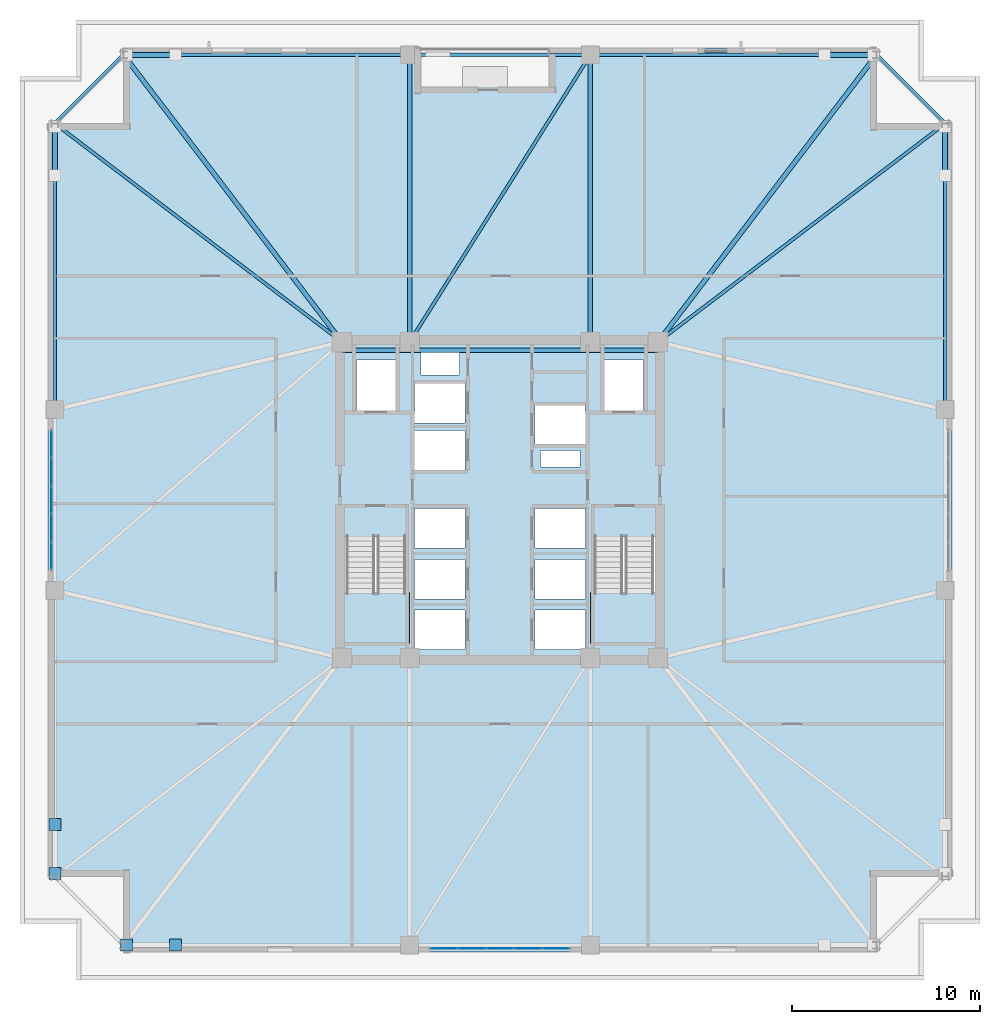
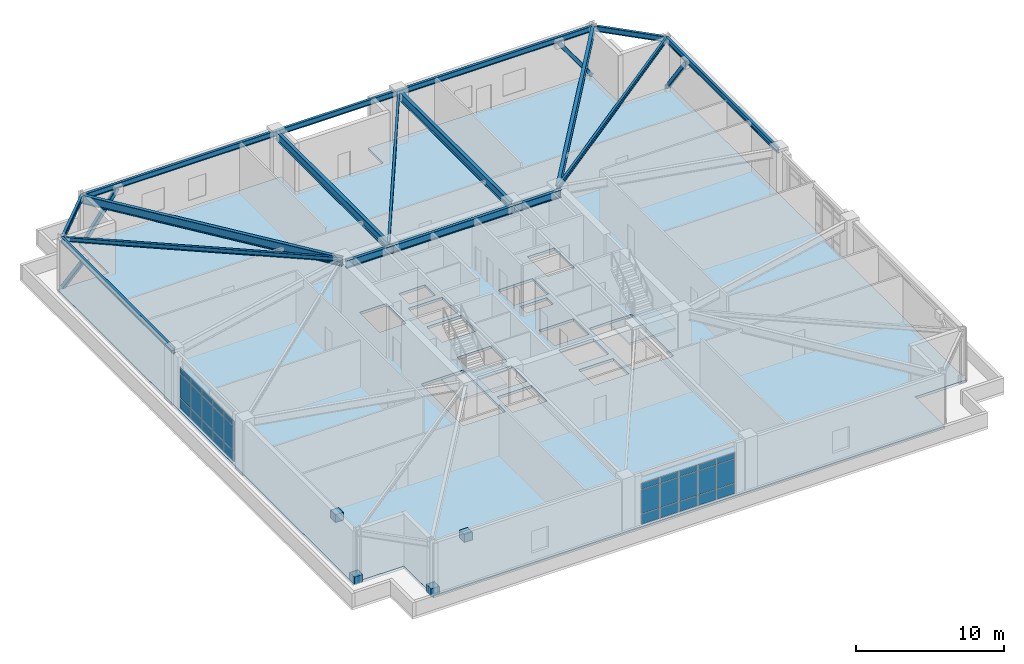
# One storey, part 5 of 13: 34 plates, 17 beams, 4 members, 3 slabs, 4 elements without a shape of their own.
"""IFC4 building model written with IfcOpenShell, lengths in metres."""

from ifc_helpers import new_model, si_unit, direction, frame, origin, origin_2d, place, context, subcontext, project, spatial, polyline, rectangle, hollow_rectangle, i_section, outline, extrude, material, layer, layer_set, material_profile, profile_set, type_object, element, aggregate, save


model = new_model("IFC4")

# Units and contexts
model_context = context("Model", 3, precision=1e-05, world=origin(), true_north=direction((0.0, 1.0)))
body_context = subcontext(model_context, "Body", "Model", "MODEL_VIEW")
ifc_project = project(units=[si_unit("LENGTHUNIT", "METRE"), si_unit("AREAUNIT", "SQUARE_METRE"), si_unit("VOLUMEUNIT", "CUBIC_METRE"), si_unit("PLANEANGLEUNIT", "RADIAN"), si_unit("MASSUNIT", "GRAM", prefix="KILO")], contexts=[model_context])

# Site, building, storey
site_placement = place(None, origin())
site = spatial("IfcSite", under=ifc_project, at=site_placement, CompositionType="ELEMENT")
building_placement = place(site_placement, origin())
building = spatial("IfcBuilding", under=site, at=building_placement, Name="Cairnveth Concourse Tower", CompositionType="ELEMENT")
storey_placement = place(building_placement, frame((0.0, 0.0, 101.5)))
storey = spatial("IfcBuildingStorey", under=building, at=storey_placement, Name="L27", CompositionType="ELEMENT", Elevation=101.5)

# Beams
ifc_material_1 = material(Name="Steel Grade 350", Category="steel")
ifc_material_profile_1 = material_profile(ifc_material_1, i_section(OverallWidth=0.22802734375, OverallDepth=0.60693359375, WebThickness=0.01123046875, FlangeThickness=0.017333984375, FilletRadius=0.013916015625, at=origin_2d()), Name="610UB113")
ifc_profile_set_1 = profile_set([ifc_material_profile_1], Name="Steel Grade 350")
beam_type_1 = type_object("IfcBeamType", Name="CORE TIE BEAM 610UB113", PredefinedType="T_BEAM", material=ifc_profile_set_1)
for number, where, z_axis, x_axis, name in (
    (1, (43.60009765625, 46.949951171875, 3.9765625), (1.0, 0.0, 0.0), (0.0, 1.0, 0.0), "Beam CT-N1 L27"),
    (2, (56.800048828125, 46.949951171875, 3.9765625), (1.0, 0.0, 0.0), (0.0, 1.0, 0.0), "Beam CT-N3 L27"),
):
    element("IfcBeam", number, at=place(storey_placement, frame(where, z_axis=z_axis, x_axis=x_axis)), inside=storey, type_object=beam_type_1, Name=name, PredefinedType="T_BEAM", context=body_context, shape_type="SweptSolid", body=[
        extrude(i_section(OverallWidth=0.22802734375, OverallDepth=0.60693359375, WebThickness=0.01123046875, FlangeThickness=0.017333984375, FilletRadius=0.013916015625, at=origin_2d()), origin(), (0.0, 0.0, 1.0), 3.599853515625),
    ])
beam_1_placement = place(storey_placement, frame((47.199951171875, 46.949951171875, 3.9765625), z_axis=(1.0, 0.0, 0.0), x_axis=(0.0, 1.0, 0.0)))
element("IfcBeam", 3, at=beam_1_placement, inside=storey, type_object=beam_type_1, Name="Beam CT-N2 L27", PredefinedType="T_BEAM", context=body_context, shape_type="SweptSolid", body=[
    extrude(i_section(OverallWidth=0.22802734375, OverallDepth=0.60693359375, WebThickness=0.01123046875, FlangeThickness=0.017333984375, FilletRadius=0.013916015625, at=origin_2d()), origin(), (0.0, 0.0, 1.0), 9.60009765625),
])
ifc_material_profile_2 = material_profile(ifc_material_1, i_section(OverallWidth=0.172119140625, OverallDepth=0.35888671875, WebThickness=0.008056640625, FlangeThickness=0.012939453125, FilletRadius=0.010986328125, at=origin_2d()), Name="360UB56.7")
ifc_profile_set_2 = profile_set([ifc_material_profile_2], Name="Steel Grade 350")
beam_type_2 = type_object("IfcBeamType", Name="ZONE 2 FLOOR JOIST 360UB56.7", PredefinedType="JOIST", material=ifc_profile_set_2)
for number, where, z_axis, x_axis, name in (
    (4, (75.64990234375, 59.0, 4.1005859375), (-0.795908242904, -0.6054172684, 0.0), (0.6054172684, -0.795908242904, 0.0), "Beam FJ-CNE2 L27"),
    (5, (28.35009765625, 59.0, 4.1005859375), (0.795908242904, -0.6054172684, 0.0), (0.6054172684, 0.795908242904, 0.0), "Beam FJ-CNW2 L27"),
):
    element("IfcBeam", number, at=place(storey_placement, frame(where, z_axis=z_axis, x_axis=x_axis)), inside=storey, type_object=beam_type_2, Name=name, PredefinedType="JOIST", context=body_context, shape_type="SweptSolid", body=[
        extrude(i_section(OverallWidth=0.172119140625, OverallDepth=0.35888671875, WebThickness=0.008056640625, FlangeThickness=0.012939453125, FilletRadius=0.010986328125, at=origin_2d()), origin(), (0.0, 0.0, 1.0), 19.160400390625),
    ])
beam_2_placement = place(storey_placement, frame((47.199951171875, 47.39990234375, 4.1005859375), z_axis=(0.532743557037, 0.84627672923, 0.0), x_axis=(-0.84627672923, 0.532743557037, 0.0)))
element("IfcBeam", 6, at=beam_2_placement, inside=storey, type_object=beam_type_2, Name="Beam FJ-N-M1 L27", PredefinedType="JOIST", context=body_context, shape_type="SweptSolid", body=[
    extrude(i_section(OverallWidth=0.172119140625, OverallDepth=0.35888671875, WebThickness=0.008056640625, FlangeThickness=0.012939453125, FilletRadius=0.010986328125, at=origin_2d()), origin(), (0.0, 0.0, 1.0), 18.02001953125),
])

# Members
ifc_material_2 = material(Name="Steel C350L0 (350 MPa)", Category="steel")
ifc_material_profile_3 = material_profile(ifc_material_2, hollow_rectangle(XDim=0.300048828125, YDim=0.300048828125, WallThickness=0.01611328125, InnerFilletRadius=0.01611328125, OuterFilletRadius=0.031982421875, at=origin_2d()), Name="300x300x16.0SHS")
ifc_profile_set_3 = profile_set([ifc_material_profile_3], Name="Steel C350L0 (350 MPa)")
member_type = type_object("IfcMemberType", Name="ZONE 2 PIER BRACE 300X300X16SHS", PredefinedType="BRACE", material=ifc_profile_set_3)
for number, where, z_axis, x_axis, name in (
    (7, (32.14990234375, 62.64990234375, 0.25), (0.587640077388, 0.0, 0.809122450218), (0.0, 1.0, 0.0), "Structural Brace PB-N1 L27"),
    (8, (71.85009765625, 62.64990234375, 0.25), (-0.587640077388, 0.0, 0.809122450218), (0.0, -1.0, 0.0), "Structural Brace PB-N2 L27"),
    (9, (28.35009765625, 58.85009765625, 0.25), (0.0, -0.587640077388, 0.809122450218), (1.0, 0.0, 0.0), "Structural Brace PB-W2 L27"),
    (10, (75.64990234375, 58.85009765625, 0.25), (0.0, -0.587640077388, 0.809122450218), (1.0, 0.0, 0.0), "Structural Brace PB-E2 L27"),
):
    element("IfcMember", number, at=place(storey_placement, frame(where, z_axis=z_axis, x_axis=x_axis)), inside=storey, type_object=member_type, Name=name, PredefinedType="BRACE", context=body_context, shape_type="SweptSolid", body=[
        extrude(hollow_rectangle(XDim=0.300048828125, YDim=0.300048828125, WallThickness=0.01611328125, InnerFilletRadius=0.01611328125, OuterFilletRadius=0.031982421875, at=origin_2d()), origin(), (0.0, 0.0, 1.0), 4.424560546875),
    ])

# Beams
ifc_material_profile_4 = material_profile(ifc_material_1, i_section(OverallWidth=0.25, OverallDepth=0.699951171875, WebThickness=0.011962890625, FlangeThickness=0.028076171875, at=origin_2d()), Name="700WB173")
ifc_profile_set_4 = profile_set([ifc_material_profile_4], Name="Steel Grade 350")
beam_type_3 = type_object("IfcBeamType", Name="ZONE 2 RADIAL GIRDER 700WB173", PredefinedType="BEAM", material=ifc_profile_set_4)
for number, where, z_axis, x_axis, name in (
    (11, (47.199951171875, 47.39990234375, 3.929931640625), (0.0, 1.0, 0.0), (-1.0, 0.0, 0.0), "Beam RG-N1 L27"),
    (12, (56.800048828125, 47.39990234375, 3.929931640625), (0.0, 1.0, 0.0), (-1.0, 0.0, 0.0), "Beam RG-N2 L27"),
):
    element("IfcBeam", number, at=place(storey_placement, frame(where, z_axis=z_axis, x_axis=x_axis)), inside=storey, type_object=beam_type_3, Name=name, PredefinedType="BEAM", context=body_context, shape_type="SweptSolid", body=[
        extrude(i_section(OverallWidth=0.25, OverallDepth=0.699951171875, WebThickness=0.011962890625, FlangeThickness=0.028076171875, at=origin_2d()), origin(), (0.0, 0.0, 1.0), 15.25),
    ])
for number, where, z_axis, x_axis, name in (
    (13, (72.0, 62.64990234375, 3.929931640625), (-0.6054172684, -0.795908242904, 0.0), (0.795908242904, -0.6054172684, 0.0), "Beam RG-CNE L27"),
    (14, (32.0, 62.64990234375, 3.929931640625), (0.6054172684, -0.795908242904, 0.0), (0.795908242904, 0.6054172684, 0.0), "Beam RG-CNW L27"),
):
    element("IfcBeam", number, at=place(storey_placement, frame(where, z_axis=z_axis, x_axis=x_axis)), inside=storey, type_object=beam_type_3, Name=name, PredefinedType="BEAM", context=body_context, shape_type="SweptSolid", body=[
        extrude(i_section(OverallWidth=0.25, OverallDepth=0.699951171875, WebThickness=0.011962890625, FlangeThickness=0.028076171875, at=origin_2d()), origin(), (0.0, 0.0, 1.0), 19.160400390625),
    ])
ifc_material_profile_5 = material_profile(ifc_material_1, i_section(OverallWidth=0.18994140625, OverallDepth=0.45703125, WebThickness=0.009033203125, FlangeThickness=0.014404296875, FilletRadius=0.010986328125, at=origin_2d()), Name="460UB74.6")
ifc_profile_set_5 = profile_set([ifc_material_profile_5], Name="Steel Grade 350")
beam_type_4 = type_object("IfcBeamType", Name="ZONE 2 SPANDREL BEAM 460UB74.6", PredefinedType="SPANDREL", material=ifc_profile_set_5)
beam_3_placement = place(storey_placement, frame((32.0, 62.64990234375, 4.051513671875), z_axis=(1.0, 0.0, 0.0), x_axis=(0.0, 1.0, 0.0)))
element("IfcBeam", 15, at=beam_3_placement, inside=storey, type_object=beam_type_4, Name="Beam SP-N1 L27", PredefinedType="SPANDREL", context=body_context, shape_type="SweptSolid", body=[
    extrude(i_section(OverallWidth=0.18994140625, OverallDepth=0.45703125, WebThickness=0.009033203125, FlangeThickness=0.014404296875, FilletRadius=0.010986328125, at=origin_2d()), origin(), (0.0, 0.0, 1.0), 15.199951171875),
])
beam_4_placement = place(storey_placement, frame((47.199951171875, 62.64990234375, 4.051513671875), z_axis=(1.0, 0.0, 0.0), x_axis=(0.0, 1.0, 0.0)))
element("IfcBeam", 16, at=beam_4_placement, inside=storey, type_object=beam_type_4, Name="Beam SP-N2 L27", PredefinedType="SPANDREL", context=body_context, shape_type="SweptSolid", body=[
    extrude(i_section(OverallWidth=0.18994140625, OverallDepth=0.45703125, WebThickness=0.009033203125, FlangeThickness=0.014404296875, FilletRadius=0.010986328125, at=origin_2d()), origin(), (0.0, 0.0, 1.0), 9.60009765625),
])
for number, where, z_axis, x_axis, name in (
    (17, (56.800048828125, 62.64990234375, 4.051513671875), (1.0, 0.0, 0.0), (0.0, 1.0, 0.0), "Beam SP-N3 L27"),
    (18, (28.35009765625, 43.800048828125, 4.051513671875), (0.0, 1.0, 0.0), (-1.0, 0.0, 0.0), "Beam SP-W3 L27"),
    (19, (75.64990234375, 43.800048828125, 4.051513671875), (0.0, 1.0, 0.0), (-1.0, 0.0, 0.0), "Beam SP-E3 L27"),
):
    element("IfcBeam", number, at=place(storey_placement, frame(where, z_axis=z_axis, x_axis=x_axis)), inside=storey, type_object=beam_type_4, Name=name, PredefinedType="SPANDREL", context=body_context, shape_type="SweptSolid", body=[
        extrude(i_section(OverallWidth=0.18994140625, OverallDepth=0.45703125, WebThickness=0.009033203125, FlangeThickness=0.014404296875, FilletRadius=0.010986328125, at=origin_2d()), origin(), (0.0, 0.0, 1.0), 15.199951171875),
    ])
for number, where, z_axis, x_axis, name in (
    (20, (72.0, 62.64990234375, 4.051513671875), (0.707106781187, -0.707106781187, 0.0), (0.707106781187, 0.707106781187, 0.0), "Beam SP-NE L27"),
    (21, (28.35009765625, 59.0, 4.051513671875), (0.707106781187, 0.707106781187, 0.0), (-0.707106781187, 0.707106781187, 0.0), "Beam SP-NW L27"),
):
    element("IfcBeam", number, at=place(storey_placement, frame(where, z_axis=z_axis, x_axis=x_axis)), inside=storey, type_object=beam_type_4, Name=name, PredefinedType="SPANDREL", context=body_context, shape_type="SweptSolid", body=[
        extrude(i_section(OverallWidth=0.18994140625, OverallDepth=0.45703125, WebThickness=0.009033203125, FlangeThickness=0.014404296875, FilletRadius=0.010986328125, at=origin_2d()), origin(), (0.0, 0.0, 1.0), 5.16162109375),
    ])

# Curtain wall, plates
ifc_material_3 = material(Name="Architectural Bronze Anodised Aluminium 6063-T6", Category="aluminium")
ifc_layer_1 = layer(ifc_material_3, 0.320068359375)
ifc_layer_set_1 = layer_set([ifc_layer_1], Name="Architectural Bronze Anodised Aluminium 6063-T6")
curtain_wall_type = type_object("IfcCurtainWallType", Name="SKY LOBBY WINTERGARDEN CURTAIN WALL", PredefinedType="USERDEFINED", material=ifc_layer_set_1)
curtain_wall_1_placement = place(storey_placement, origin())
curtain_wall_1 = element("IfcCurtainWall", 22, at=curtain_wall_1_placement, inside=storey, type_object=curtain_wall_type, Name="Curtain Wall CW-L27-F6", ObjectType="UNITISED FACADE", PredefinedType="USERDEFINED")
ifc_material_4 = material(Name="Double Glazed Low-E Clear Glass", Category="glass")
ifc_layer_2 = layer(ifc_material_4, 0.028076171875)
ifc_layer_set_2 = layer_set([ifc_layer_2], Name="Double Glazed Low-E Clear Glass")
plate_type_1 = type_object("IfcPlateType", Name="DOUBLE GLAZED LOW-E CURTAIN PANEL 28", PredefinedType="CURTAIN_PANEL", material=ifc_layer_set_2)
plate_1_placement = place(storey_placement, frame((54.955810546875, 15.169921875, 0.06494140625), z_axis=(0.0, 0.0, 1.0), x_axis=(-1.0, 0.0, 0.0)))
plate_1 = element("IfcPlate", 23, at=plate_1_placement, type_object=plate_type_1, Name="CWS4 panel 1.1", PredefinedType="CURTAIN_PANEL", context=body_context, shape_type="SweptSolid", body=[
    extrude(rectangle(XDim=1.388427734375, YDim=0.028076171875, at=origin_2d()), origin(), (0.0, 0.0, 1.0), 0.802490234375),
])
plate_2_placement = place(storey_placement, frame((54.955810546875, 15.169921875, 0.9326171875), z_axis=(0.0, 0.0, 1.0), x_axis=(-1.0, 0.0, 0.0)))
plate_2 = element("IfcPlate", 24, at=plate_2_placement, type_object=plate_type_1, Name="CWS4 panel 1.2", PredefinedType="CURTAIN_PANEL", context=body_context, shape_type="SweptSolid", body=[
    extrude(rectangle(XDim=1.388427734375, YDim=0.028076171875, at=origin_2d()), origin(), (0.0, 0.0, 1.0), 1.965087890625),
])
plate_3_placement = place(storey_placement, frame((54.955810546875, 15.169921875, 2.96240234375), z_axis=(0.0, 0.0, 1.0), x_axis=(-1.0, 0.0, 0.0)))
plate_3 = element("IfcPlate", 25, at=plate_3_placement, type_object=plate_type_1, Name="CWS4 panel 1.3", PredefinedType="CURTAIN_PANEL", context=body_context, shape_type="SweptSolid", body=[
    extrude(rectangle(XDim=1.388427734375, YDim=0.028076171875, at=origin_2d()), origin(), (0.0, 0.0, 1.0), 0.452392578125),
])
plate_4_placement = place(storey_placement, frame((53.486083984375, 15.169921875, 0.06494140625), z_axis=(0.0, 0.0, 1.0), x_axis=(-1.0, 0.0, 0.0)))
plate_4 = element("IfcPlate", 26, at=plate_4_placement, type_object=plate_type_1, Name="CWS4 panel 2.1", PredefinedType="CURTAIN_PANEL", context=body_context, shape_type="SweptSolid", body=[
    extrude(rectangle(XDim=1.4208984375, YDim=0.028076171875, at=origin_2d()), origin(), (0.0, 0.0, 1.0), 0.802490234375),
])
plate_5_placement = place(storey_placement, frame((53.486083984375, 15.169921875, 0.9326171875), z_axis=(0.0, 0.0, 1.0), x_axis=(-1.0, 0.0, 0.0)))
plate_5 = element("IfcPlate", 27, at=plate_5_placement, type_object=plate_type_1, Name="CWS4 panel 2.2", PredefinedType="CURTAIN_PANEL", context=body_context, shape_type="SweptSolid", body=[
    extrude(rectangle(XDim=1.4208984375, YDim=0.028076171875, at=origin_2d()), origin(), (0.0, 0.0, 1.0), 1.965087890625),
])
plate_6_placement = place(storey_placement, frame((53.486083984375, 15.169921875, 2.96240234375), z_axis=(0.0, 0.0, 1.0), x_axis=(-1.0, 0.0, 0.0)))
plate_6 = element("IfcPlate", 28, at=plate_6_placement, type_object=plate_type_1, Name="CWS4 panel 2.3", PredefinedType="CURTAIN_PANEL", context=body_context, shape_type="SweptSolid", body=[
    extrude(rectangle(XDim=1.4208984375, YDim=0.028076171875, at=origin_2d()), origin(), (0.0, 0.0, 1.0), 0.452392578125),
])
plate_7_placement = place(storey_placement, frame((52.0, 15.169921875, 0.06494140625), z_axis=(0.0, 0.0, 1.0), x_axis=(-1.0, 0.0, 0.0)))
plate_7 = element("IfcPlate", 29, at=plate_7_placement, type_object=plate_type_1, Name="CWS4 panel 3.1", PredefinedType="CURTAIN_PANEL", context=body_context, shape_type="SweptSolid", body=[
    extrude(rectangle(XDim=1.4208984375, YDim=0.028076171875, at=origin_2d()), origin(), (0.0, 0.0, 1.0), 0.802490234375),
])
plate_8_placement = place(storey_placement, frame((52.0, 15.169921875, 0.9326171875), z_axis=(0.0, 0.0, 1.0), x_axis=(-1.0, 0.0, 0.0)))
plate_8 = element("IfcPlate", 30, at=plate_8_placement, type_object=plate_type_1, Name="CWS4 panel 3.2", PredefinedType="CURTAIN_PANEL", context=body_context, shape_type="SweptSolid", body=[
    extrude(rectangle(XDim=1.4208984375, YDim=0.028076171875, at=origin_2d()), origin(), (0.0, 0.0, 1.0), 1.965087890625),
])
plate_9_placement = place(storey_placement, frame((52.0, 15.169921875, 2.96240234375), z_axis=(0.0, 0.0, 1.0), x_axis=(-1.0, 0.0, 0.0)))
plate_9 = element("IfcPlate", 31, at=plate_9_placement, type_object=plate_type_1, Name="CWS4 panel 3.3", PredefinedType="CURTAIN_PANEL", context=body_context, shape_type="SweptSolid", body=[
    extrude(rectangle(XDim=1.4208984375, YDim=0.028076171875, at=origin_2d()), origin(), (0.0, 0.0, 1.0), 0.452392578125),
])
plate_10_placement = place(storey_placement, frame((50.513916015625, 15.169921875, 0.06494140625), z_axis=(0.0, 0.0, 1.0), x_axis=(-1.0, 0.0, 0.0)))
plate_10 = element("IfcPlate", 32, at=plate_10_placement, type_object=plate_type_1, Name="CWS4 panel 4.1", PredefinedType="CURTAIN_PANEL", context=body_context, shape_type="SweptSolid", body=[
    extrude(rectangle(XDim=1.4208984375, YDim=0.028076171875, at=origin_2d()), origin(), (0.0, 0.0, 1.0), 0.802490234375),
])
plate_11_placement = place(storey_placement, frame((50.513916015625, 15.169921875, 0.9326171875), z_axis=(0.0, 0.0, 1.0), x_axis=(-1.0, 0.0, 0.0)))
plate_11 = element("IfcPlate", 33, at=plate_11_placement, type_object=plate_type_1, Name="CWS4 panel 4.2", PredefinedType="CURTAIN_PANEL", context=body_context, shape_type="SweptSolid", body=[
    extrude(rectangle(XDim=1.4208984375, YDim=0.028076171875, at=origin_2d()), origin(), (0.0, 0.0, 1.0), 1.965087890625),
])
plate_12_placement = place(storey_placement, frame((50.513916015625, 15.169921875, 2.96240234375), z_axis=(0.0, 0.0, 1.0), x_axis=(-1.0, 0.0, 0.0)))
plate_12 = element("IfcPlate", 34, at=plate_12_placement, type_object=plate_type_1, Name="CWS4 panel 4.3", PredefinedType="CURTAIN_PANEL", context=body_context, shape_type="SweptSolid", body=[
    extrude(rectangle(XDim=1.4208984375, YDim=0.028076171875, at=origin_2d()), origin(), (0.0, 0.0, 1.0), 0.452392578125),
])
plate_13_placement = place(storey_placement, frame((49.044189453125, 15.169921875, 0.06494140625), z_axis=(0.0, 0.0, 1.0), x_axis=(-1.0, 0.0, 0.0)))
plate_13 = element("IfcPlate", 35, at=plate_13_placement, type_object=plate_type_1, Name="CWS4 panel 5.1", PredefinedType="CURTAIN_PANEL", context=body_context, shape_type="SweptSolid", body=[
    extrude(rectangle(XDim=1.388427734375, YDim=0.028076171875, at=origin_2d()), origin(), (0.0, 0.0, 1.0), 0.802490234375),
])
plate_14_placement = place(storey_placement, frame((49.044189453125, 15.169921875, 0.9326171875), z_axis=(0.0, 0.0, 1.0), x_axis=(-1.0, 0.0, 0.0)))
plate_14 = element("IfcPlate", 36, at=plate_14_placement, type_object=plate_type_1, Name="CWS4 panel 5.2", PredefinedType="CURTAIN_PANEL", context=body_context, shape_type="SweptSolid", body=[
    extrude(rectangle(XDim=1.388427734375, YDim=0.028076171875, at=origin_2d()), origin(), (0.0, 0.0, 1.0), 1.965087890625),
])
plate_15_placement = place(storey_placement, frame((49.044189453125, 15.169921875, 2.96240234375), z_axis=(0.0, 0.0, 1.0), x_axis=(-1.0, 0.0, 0.0)))
plate_15 = element("IfcPlate", 37, at=plate_15_placement, type_object=plate_type_1, Name="CWS4 panel 5.3", PredefinedType="CURTAIN_PANEL", context=body_context, shape_type="SweptSolid", body=[
    extrude(rectangle(XDim=1.388427734375, YDim=0.028076171875, at=origin_2d()), origin(), (0.0, 0.0, 1.0), 0.452392578125),
])
aggregate(curtain_wall_1, [plate_1, plate_2, plate_3, plate_4, plate_5, plate_6, plate_7, plate_8, plate_9, plate_10, plate_11, plate_12, plate_13, plate_14, plate_15])

curtain_wall_2_placement = place(storey_placement, origin())
curtain_wall_2 = element("IfcCurtainWall", 38, at=curtain_wall_2_placement, inside=storey, type_object=curtain_wall_type, Name="Curtain Wall CW-L27-F9", ObjectType="UNITISED FACADE", PredefinedType="USERDEFINED")
plate_16_placement = place(storey_placement, frame((28.169921875, 36.044189453125, 0.06494140625), z_axis=(0.0, 0.0, 1.0), x_axis=(0.0, 1.0, 0.0)))
plate_16 = element("IfcPlate", 39, at=plate_16_placement, type_object=plate_type_1, Name="CWS4 panel 1.1", PredefinedType="CURTAIN_PANEL", context=body_context, shape_type="SweptSolid", body=[
    extrude(rectangle(XDim=1.388427734375, YDim=0.028076171875, at=origin_2d()), origin(), (0.0, 0.0, 1.0), 0.802490234375),
])
plate_17_placement = place(storey_placement, frame((28.169921875, 36.044189453125, 0.9326171875), z_axis=(0.0, 0.0, 1.0), x_axis=(0.0, 1.0, 0.0)))
plate_17 = element("IfcPlate", 40, at=plate_17_placement, type_object=plate_type_1, Name="CWS4 panel 1.2", PredefinedType="CURTAIN_PANEL", context=body_context, shape_type="SweptSolid", body=[
    extrude(rectangle(XDim=1.388427734375, YDim=0.028076171875, at=origin_2d()), origin(), (0.0, 0.0, 1.0), 1.965087890625),
])
plate_18_placement = place(storey_placement, frame((28.169921875, 36.044189453125, 2.96240234375), z_axis=(0.0, 0.0, 1.0), x_axis=(0.0, 1.0, 0.0)))
plate_18 = element("IfcPlate", 41, at=plate_18_placement, type_object=plate_type_1, Name="CWS4 panel 1.3", PredefinedType="CURTAIN_PANEL", context=body_context, shape_type="SweptSolid", body=[
    extrude(rectangle(XDim=1.388427734375, YDim=0.028076171875, at=origin_2d()), origin(), (0.0, 0.0, 1.0), 0.452392578125),
])
plate_19_placement = place(storey_placement, frame((28.169921875, 37.513916015625, 0.06494140625), z_axis=(0.0, 0.0, 1.0), x_axis=(0.0, 1.0, 0.0)))
plate_19 = element("IfcPlate", 42, at=plate_19_placement, type_object=plate_type_1, Name="CWS4 panel 2.1", PredefinedType="CURTAIN_PANEL", context=body_context, shape_type="SweptSolid", body=[
    extrude(rectangle(XDim=1.4208984375, YDim=0.028076171875, at=origin_2d()), origin(), (0.0, 0.0, 1.0), 0.802490234375),
])
plate_20_placement = place(storey_placement, frame((28.169921875, 37.513916015625, 0.9326171875), z_axis=(0.0, 0.0, 1.0), x_axis=(0.0, 1.0, 0.0)))
plate_20 = element("IfcPlate", 43, at=plate_20_placement, type_object=plate_type_1, Name="CWS4 panel 2.2", PredefinedType="CURTAIN_PANEL", context=body_context, shape_type="SweptSolid", body=[
    extrude(rectangle(XDim=1.4208984375, YDim=0.028076171875, at=origin_2d()), origin(), (0.0, 0.0, 1.0), 1.965087890625),
])
plate_21_placement = place(storey_placement, frame((28.169921875, 37.513916015625, 2.96240234375), z_axis=(0.0, 0.0, 1.0), x_axis=(0.0, 1.0, 0.0)))
plate_21 = element("IfcPlate", 44, at=plate_21_placement, type_object=plate_type_1, Name="CWS4 panel 2.3", PredefinedType="CURTAIN_PANEL", context=body_context, shape_type="SweptSolid", body=[
    extrude(rectangle(XDim=1.4208984375, YDim=0.028076171875, at=origin_2d()), origin(), (0.0, 0.0, 1.0), 0.452392578125),
])
plate_22_placement = place(storey_placement, frame((28.169921875, 39.0, 0.06494140625), z_axis=(0.0, 0.0, 1.0), x_axis=(0.0, 1.0, 0.0)))
plate_22 = element("IfcPlate", 45, at=plate_22_placement, type_object=plate_type_1, Name="CWS4 panel 3.1", PredefinedType="CURTAIN_PANEL", context=body_context, shape_type="SweptSolid", body=[
    extrude(rectangle(XDim=1.4208984375, YDim=0.028076171875, at=origin_2d()), origin(), (0.0, 0.0, 1.0), 0.802490234375),
])
plate_23_placement = place(storey_placement, frame((28.169921875, 39.0, 0.9326171875), z_axis=(0.0, 0.0, 1.0), x_axis=(0.0, 1.0, 0.0)))
plate_23 = element("IfcPlate", 46, at=plate_23_placement, type_object=plate_type_1, Name="CWS4 panel 3.2", PredefinedType="CURTAIN_PANEL", context=body_context, shape_type="SweptSolid", body=[
    extrude(rectangle(XDim=1.4208984375, YDim=0.028076171875, at=origin_2d()), origin(), (0.0, 0.0, 1.0), 1.965087890625),
])
plate_24_placement = place(storey_placement, frame((28.169921875, 39.0, 2.96240234375), z_axis=(0.0, 0.0, 1.0), x_axis=(0.0, 1.0, 0.0)))
plate_24 = element("IfcPlate", 47, at=plate_24_placement, type_object=plate_type_1, Name="CWS4 panel 3.3", PredefinedType="CURTAIN_PANEL", context=body_context, shape_type="SweptSolid", body=[
    extrude(rectangle(XDim=1.4208984375, YDim=0.028076171875, at=origin_2d()), origin(), (0.0, 0.0, 1.0), 0.452392578125),
])
plate_25_placement = place(storey_placement, frame((28.169921875, 40.486083984375, 0.06494140625), z_axis=(0.0, 0.0, 1.0), x_axis=(0.0, 1.0, 0.0)))
plate_25 = element("IfcPlate", 48, at=plate_25_placement, type_object=plate_type_1, Name="CWS4 panel 4.1", PredefinedType="CURTAIN_PANEL", context=body_context, shape_type="SweptSolid", body=[
    extrude(rectangle(XDim=1.4208984375, YDim=0.028076171875, at=origin_2d()), origin(), (0.0, 0.0, 1.0), 0.802490234375),
])
plate_26_placement = place(storey_placement, frame((28.169921875, 40.486083984375, 0.9326171875), z_axis=(0.0, 0.0, 1.0), x_axis=(0.0, 1.0, 0.0)))
plate_26 = element("IfcPlate", 49, at=plate_26_placement, type_object=plate_type_1, Name="CWS4 panel 4.2", PredefinedType="CURTAIN_PANEL", context=body_context, shape_type="SweptSolid", body=[
    extrude(rectangle(XDim=1.4208984375, YDim=0.028076171875, at=origin_2d()), origin(), (0.0, 0.0, 1.0), 1.965087890625),
])
plate_27_placement = place(storey_placement, frame((28.169921875, 40.486083984375, 2.96240234375), z_axis=(0.0, 0.0, 1.0), x_axis=(0.0, 1.0, 0.0)))
plate_27 = element("IfcPlate", 50, at=plate_27_placement, type_object=plate_type_1, Name="CWS4 panel 4.3", PredefinedType="CURTAIN_PANEL", context=body_context, shape_type="SweptSolid", body=[
    extrude(rectangle(XDim=1.4208984375, YDim=0.028076171875, at=origin_2d()), origin(), (0.0, 0.0, 1.0), 0.452392578125),
])
plate_28_placement = place(storey_placement, frame((28.169921875, 41.955810546875, 0.06494140625), z_axis=(0.0, 0.0, 1.0), x_axis=(0.0, 1.0, 0.0)))
plate_28 = element("IfcPlate", 51, at=plate_28_placement, type_object=plate_type_1, Name="CWS4 panel 5.1", PredefinedType="CURTAIN_PANEL", context=body_context, shape_type="SweptSolid", body=[
    extrude(rectangle(XDim=1.388427734375, YDim=0.028076171875, at=origin_2d()), origin(), (0.0, 0.0, 1.0), 0.802490234375),
])
plate_29_placement = place(storey_placement, frame((28.169921875, 41.955810546875, 0.9326171875), z_axis=(0.0, 0.0, 1.0), x_axis=(0.0, 1.0, 0.0)))
plate_29 = element("IfcPlate", 52, at=plate_29_placement, type_object=plate_type_1, Name="CWS4 panel 5.2", PredefinedType="CURTAIN_PANEL", context=body_context, shape_type="SweptSolid", body=[
    extrude(rectangle(XDim=1.388427734375, YDim=0.028076171875, at=origin_2d()), origin(), (0.0, 0.0, 1.0), 1.965087890625),
])
plate_30_placement = place(storey_placement, frame((28.169921875, 41.955810546875, 2.96240234375), z_axis=(0.0, 0.0, 1.0), x_axis=(0.0, 1.0, 0.0)))
plate_30 = element("IfcPlate", 53, at=plate_30_placement, type_object=plate_type_1, Name="CWS4 panel 5.3", PredefinedType="CURTAIN_PANEL", context=body_context, shape_type="SweptSolid", body=[
    extrude(rectangle(XDim=1.388427734375, YDim=0.028076171875, at=origin_2d()), origin(), (0.0, 0.0, 1.0), 0.452392578125),
])
aggregate(curtain_wall_2, [plate_16, plate_17, plate_18, plate_19, plate_20, plate_21, plate_22, plate_23, plate_24, plate_25, plate_26, plate_27, plate_28, plate_29, plate_30])

# Slab
ifc_material_5 = material(Name="Concrete N50 (50 MPa)", Category="concrete")
ifc_layer_3 = layer(ifc_material_5, 0.219970703125)
ifc_layer_set_3 = layer_set([ifc_layer_3], Name="Concrete N50 (50 MPa)")
slab_type_1 = type_object("IfcSlabType", Name="LOWER TOWER COMPOSITE SLAB 220", PredefinedType="FLOOR", material=ifc_layer_set_3)
slab_1_placement = place(storey_placement, frame((0.0, 0.0, -0.219970703125)))
element("IfcSlab", 54, at=slab_1_placement, inside=storey, type_object=slab_type_1, Name="Tower Floor Slab L27", PredefinedType="FLOOR", context=body_context, shape_type="SweptSolid", body=[
    extrude(outline(polyline([(54.60009765625, 63.0), (54.60009765625, 60.949951171875), (47.800048828125, 60.949951171875), (47.800048828125, 63.0), (32.0, 63.0), (32.0, 59.0), (28.0, 59.0), (28.0, 19.0), (32.0, 19.0), (32.0, 15.0), (72.0, 15.0), (72.0, 19.0), (76.0, 19.0), (76.0, 59.0), (72.0, 59.0), (72.0, 63.0), (54.60009765625, 63.0)]), holes=[polyline([(43.760009765625, 31.360107421875), (47.06005859375, 31.360107421875), (47.06005859375, 37.0400390625), (43.760009765625, 37.0400390625), (43.760009765625, 31.360107421875)]), polyline([(56.93994140625, 31.360107421875), (60.239990234375, 31.360107421875), (60.239990234375, 37.0400390625), (56.93994140625, 37.0400390625), (56.93994140625, 31.360107421875)]), polyline([(44.3701171875, 43.75), (46.469970703125, 43.75), (46.469970703125, 46.449951171875), (44.3701171875, 46.449951171875), (44.3701171875, 43.75)]), polyline([(57.530029296875, 43.75), (59.6298828125, 43.75), (59.6298828125, 46.449951171875), (57.530029296875, 46.449951171875), (57.530029296875, 43.75)]), polyline([(47.449951171875, 31.050048828125), (50.14990234375, 31.050048828125), (50.14990234375, 33.14990234375), (47.449951171875, 33.14990234375), (47.449951171875, 31.050048828125)]), polyline([(47.449951171875, 33.75), (50.14990234375, 33.75), (50.14990234375, 35.85009765625), (47.449951171875, 35.85009765625), (47.449951171875, 33.75)]), polyline([(47.449951171875, 36.449951171875), (50.14990234375, 36.449951171875), (50.14990234375, 38.550048828125), (47.449951171875, 38.550048828125), (47.449951171875, 36.449951171875)]), polyline([(53.85009765625, 31.050048828125), (56.550048828125, 31.050048828125), (56.550048828125, 33.14990234375), (53.85009765625, 33.14990234375), (53.85009765625, 31.050048828125)]), polyline([(53.85009765625, 33.75), (56.550048828125, 33.75), (56.550048828125, 35.85009765625), (53.85009765625, 35.85009765625), (53.85009765625, 33.75)]), polyline([(53.85009765625, 36.449951171875), (56.550048828125, 36.449951171875), (56.550048828125, 38.550048828125), (53.85009765625, 38.550048828125), (53.85009765625, 36.449951171875)]), polyline([(47.449951171875, 40.60009765625), (50.14990234375, 40.60009765625), (50.14990234375, 42.699951171875), (47.449951171875, 42.699951171875), (47.449951171875, 40.60009765625)]), polyline([(47.449951171875, 43.10009765625), (50.14990234375, 43.10009765625), (50.14990234375, 45.199951171875), (47.449951171875, 45.199951171875), (47.449951171875, 43.10009765625)]), polyline([(53.85009765625, 41.949951171875), (56.550048828125, 41.949951171875), (56.550048828125, 44.050048828125), (53.85009765625, 44.050048828125), (53.85009765625, 41.949951171875)]), polyline([(47.800048828125, 45.64990234375), (49.85009765625, 45.64990234375), (49.85009765625, 47.050048828125), (47.800048828125, 47.050048828125), (47.800048828125, 45.64990234375)]), polyline([(54.14990234375, 40.75), (56.25, 40.75), (56.25, 41.6201171875), (54.14990234375, 41.6201171875), (54.14990234375, 40.75)])]), origin(), (0.0, 0.0, 1.0), 0.219970703125),
])

# Plates
ifc_layer_4 = layer(ifc_material_1, 0.031982421875)
ifc_layer_set_4 = layer_set([ifc_layer_4], Name="Steel Grade 350")
plate_type_2 = type_object("IfcPlateType", Name="PERIMETER BRACE GUSSET PLATE 32", PredefinedType="USERDEFINED", material=ifc_layer_set_4)
for number, where, z_axis, x_axis, name in (
    (55, (32.14990234375, 15.35009765625, -0.06982421875), (0.0, 0.0, 1.0), (1.0, 0.0, 0.0), "Structural Node Plate 0465 L27"),
    (56, (34.75, 15.35009765625, 3.51025390625), (0.0, 0.0, 1.0), (1.0, 0.0, 0.0), "Structural Node Plate 0466 L27"),
    (57, (28.35009765625, 19.14990234375, -0.06982421875), (0.0, 0.0, 1.0), (1.0, 0.0, 0.0), "Structural Node Plate 0473 L27"),
    (58, (28.35009765625, 21.75, 3.51025390625), (0.0, 0.0, 1.0), (1.0, 0.0, 0.0), "Structural Node Plate 0474 L27"),
):
    element("IfcPlate", number, at=place(storey_placement, frame(where, z_axis=z_axis, x_axis=x_axis)), inside=storey, type_object=plate_type_2, Name=name, ObjectType="GUSSET PLATE", PredefinedType="USERDEFINED", context=body_context, shape_type="SweptSolid", body=[
        extrude(rectangle(XDim=0.639892578125, YDim=0.639892578125, at=origin_2d()), origin(), (0.0, 0.0, 1.0), 0.639892578125),
    ])

# Stair, slab
ifc_material_6 = material(Name="Precast concrete N50 (50 MPa)", Category="concrete")
stair_type = type_object("IfcStairType", Name="CORE DOG-LEG FIRE STAIR 1500", PredefinedType="HALF_TURN_STAIR", material=ifc_material_6)
stair_1_placement = place(storey_placement, origin())
stair_1 = element("IfcStair", 59, at=stair_1_placement, inside=storey, type_object=stair_type, Name="L27 Fire-Isolated Stair ST-1", PredefinedType="HALF_TURN_STAIR")
ifc_layer_5 = layer(ifc_material_5, 0.199951171875)
ifc_layer_set_5 = layer_set([ifc_layer_5], Name="Concrete N50 (50 MPa)")
slab_type_2 = type_object("IfcSlabType", Name="STAIR HALF LANDING SLAB 200", PredefinedType="LANDING", material=ifc_layer_set_5)
slab_2_placement = place(storey_placement, frame((0.0, 0.0, 2.050048828125)))
slab_2 = element("IfcSlab", 60, at=slab_2_placement, type_object=slab_type_2, Name="ST-1 landing 1", PredefinedType="LANDING", context=body_context, shape_type="SweptSolid", body=[
    extrude(outline(polyline([(43.6201171875, 34.080078125), (43.6201171875, 31.3701171875), (47.199951171875, 31.3701171875), (47.199951171875, 34.080078125), (43.6201171875, 34.080078125)])), origin(), (0.0, 0.0, 1.0), 0.199951171875),
])
aggregate(stair_1, [slab_2])

stair_2_placement = place(storey_placement, origin())
stair_2 = element("IfcStair", 61, at=stair_2_placement, inside=storey, type_object=stair_type, Name="L27 Fire-Isolated Stair ST-2", PredefinedType="HALF_TURN_STAIR")
slab_3_placement = place(storey_placement, frame((0.0, 0.0, 2.050048828125)))
slab_3 = element("IfcSlab", 62, at=slab_3_placement, type_object=slab_type_2, Name="ST-2 landing 1", PredefinedType="LANDING", context=body_context, shape_type="SweptSolid", body=[
    extrude(outline(polyline([(56.800048828125, 34.080078125), (56.800048828125, 31.3701171875), (60.3798828125, 31.3701171875), (60.3798828125, 34.080078125), (56.800048828125, 34.080078125)])), origin(), (0.0, 0.0, 1.0), 0.199951171875),
])
aggregate(stair_2, [slab_3])

save(model, "model.ifc")
